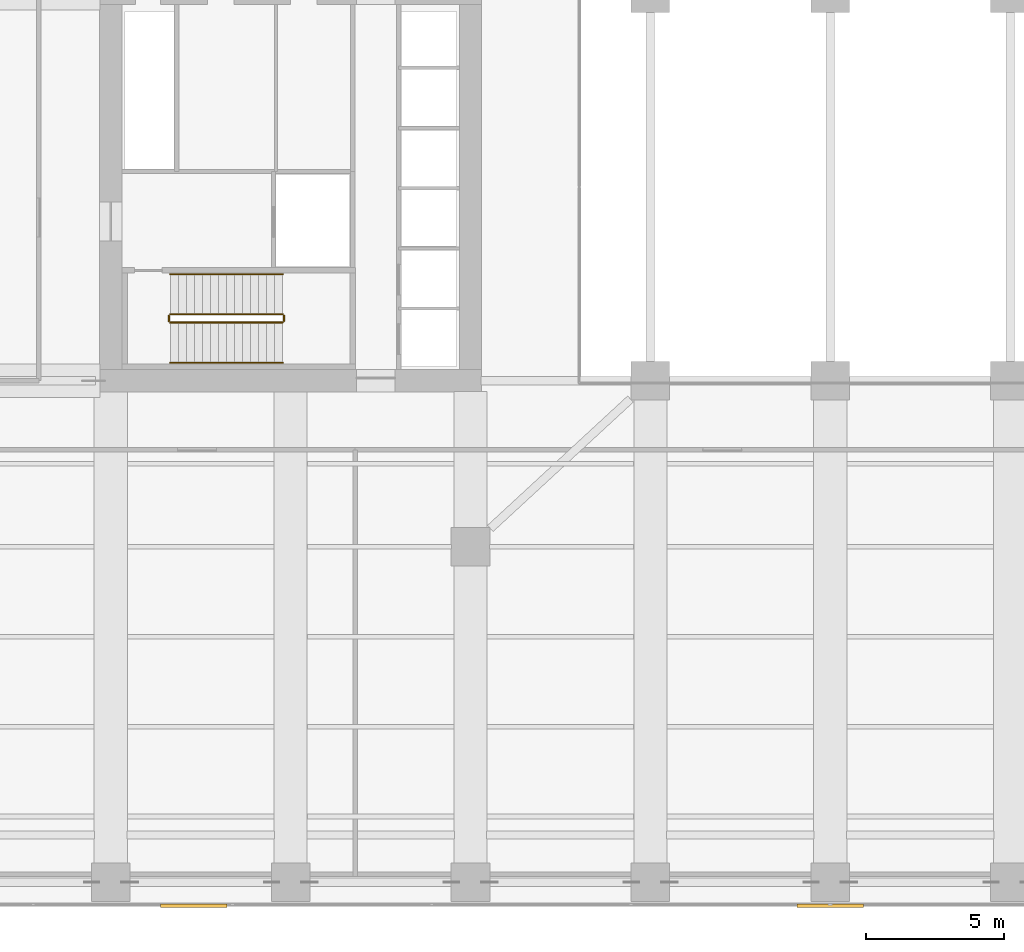
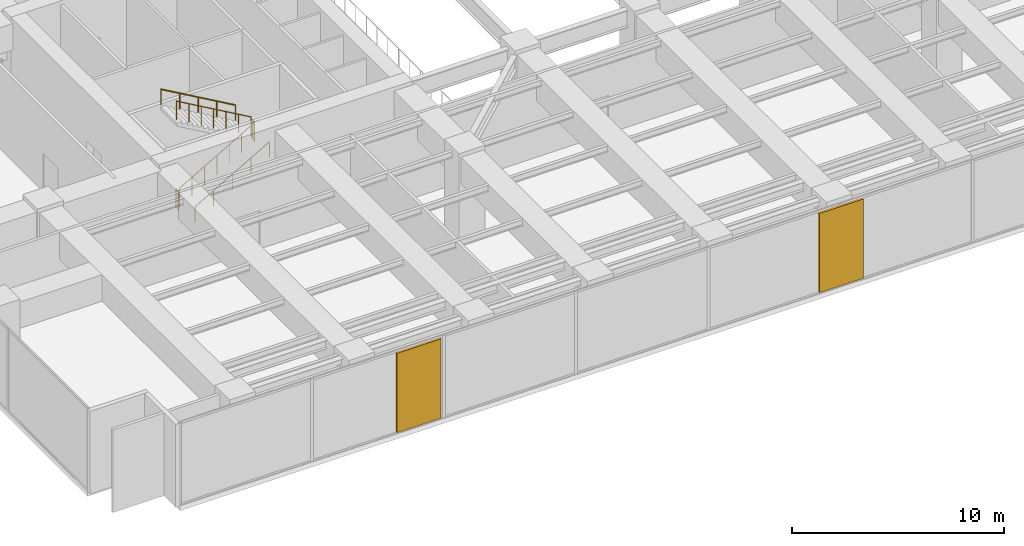
# One storey, part 28 of 31: 6 railings, 2 shading devices.
"""IFC4 building model written with IfcOpenShell, lengths in metres."""

from ifc_helpers import new_model, si_unit, direction, frame, origin, origin_2d, place, context, subcontext, project, spatial, rectangle, circle, extrude, material, layer, layer_set, type_object, element, save


model = new_model("IFC4")

# Units and contexts
model_context = context("Model", 3, precision=1e-05, world=origin(), true_north=direction((0.0, 1.0)))
body_context = subcontext(model_context, "Body", "Model", "MODEL_VIEW")
ifc_project = project(units=[si_unit("LENGTHUNIT", "METRE"), si_unit("AREAUNIT", "SQUARE_METRE"), si_unit("VOLUMEUNIT", "CUBIC_METRE"), si_unit("PLANEANGLEUNIT", "RADIAN"), si_unit("MASSUNIT", "GRAM", prefix="KILO")], contexts=[model_context])

# Site, building, storey
site_placement = place(None, origin())
site = spatial("IfcSite", under=ifc_project, at=site_placement, CompositionType="ELEMENT")
building_placement = place(site_placement, origin())
building = spatial("IfcBuilding", under=site, at=building_placement, Name="Putna Gate Headquarters", CompositionType="ELEMENT")
storey_placement = place(building_placement, frame((0.0, 0.0, 81.0)))
storey = spatial("IfcBuildingStorey", under=building, at=storey_placement, Name="L19", CompositionType="ELEMENT", Elevation=81.0)

# Railings
ifc_material_1 = material(Name="Powder-coated steel stair guardrail", Category="steel")
railing_type_1 = type_object("IfcRailingType", Name="RAIL-STAIR-GUARD-1100", PredefinedType="GUARDRAIL", material=ifc_material_1)
railing_1_placement = place(storey_placement, frame((15.14990234375, 21.10009765625, 0.166748046875)))
element("IfcRailing", 1, at=railing_1_placement, inside=storey, type_object=railing_type_1, Name="L19 ST1 stair guard 1", PredefinedType="GUARDRAIL", context=body_context, shape_type="SweptSolid", body=[
    extrude(circle(Radius=0.02392578125, at=origin_2d()), frame((0.0, 0.0, 1.076171875), z_axis=(0.867024558463, 0.0, 0.498265406207), x_axis=(0.0, 1.0, 0.0)), (0.0, 0.0, 1.0), 4.682861328125),
    extrude(circle(Radius=0.02099609375, at=origin_2d()), origin(), (0.0, 0.0, 1.0), 1.052001953125),
    extrude(circle(Radius=0.02099609375, at=origin_2d()), frame((0.6767578125, 0.0, 0.388916015625)), (0.0, 0.0, 1.0), 1.052001953125),
    extrude(circle(Radius=0.02099609375, at=origin_2d()), frame((1.353271484375, 0.0, 0.77783203125)), (0.0, 0.0, 1.0), 1.052001953125),
    extrude(circle(Radius=0.02099609375, at=origin_2d()), frame((2.030029296875, 0.0, 1.16650390625)), (0.0, 0.0, 1.0), 1.052001953125),
    extrude(circle(Radius=0.02099609375, at=origin_2d()), frame((2.706787109375, 0.0, 1.555419921875)), (0.0, 0.0, 1.0), 1.052001953125),
    extrude(circle(Radius=0.02099609375, at=origin_2d()), frame((3.38330078125, 0.0, 1.9443359375)), (0.0, 0.0, 1.0), 1.052001953125),
    extrude(circle(Radius=0.02099609375, at=origin_2d()), frame((4.06005859375, 0.0, 2.333251953125)), (0.0, 0.0, 1.0), 1.052001953125),
])
railing_2_placement = place(storey_placement, frame((19.260009765625, 21.14990234375, 2.5)))
element("IfcRailing", 2, at=railing_2_placement, inside=storey, type_object=railing_type_1, Name="L19 ST1 stair guard 2", PredefinedType="GUARDRAIL", context=body_context, shape_type="SweptSolid", body=[
    extrude(circle(Radius=0.02392578125, at=origin_2d()), frame((0.0, 0.0, 1.076171875), z_axis=(0.0, 1.0, 0.0), x_axis=(-1.0, 0.0, 0.0)), (0.0, 0.0, 1.0), 0.2001953125),
    extrude(circle(Radius=0.02099609375, at=origin_2d()), origin(), (0.0, 0.0, 1.0), 1.052001953125),
    extrude(circle(Radius=0.02099609375, at=origin_2d()), frame((0.0, 0.2001953125, 0.0)), (0.0, 0.0, 1.0), 1.052001953125),
])
railing_3_placement = place(storey_placement, frame((19.2099609375, 21.39990234375, 2.666748046875)))
element("IfcRailing", 3, at=railing_3_placement, inside=storey, type_object=railing_type_1, Name="L19 ST1 stair guard 3", PredefinedType="GUARDRAIL", context=body_context, shape_type="SweptSolid", body=[
    extrude(circle(Radius=0.02392578125, at=origin_2d()), frame((0.0, 0.0, 1.076171875), z_axis=(-0.867024558463, 0.0, 0.498265406207), x_axis=(0.0, -1.0, 0.0)), (0.0, 0.0, 1.0), 4.682861328125),
    extrude(circle(Radius=0.02099609375, at=origin_2d()), origin(), (0.0, 0.0, 1.0), 1.052001953125),
    extrude(circle(Radius=0.02099609375, at=origin_2d()), frame((-0.6767578125, 0.0, 0.388916015625)), (0.0, 0.0, 1.0), 1.052001953125),
    extrude(circle(Radius=0.02099609375, at=origin_2d()), frame((-1.353271484375, 0.0, 0.77783203125)), (0.0, 0.0, 1.0), 1.052001953125),
    extrude(circle(Radius=0.02099609375, at=origin_2d()), frame((-2.030029296875, 0.0, 1.16650390625)), (0.0, 0.0, 1.0), 1.052001953125),
    extrude(circle(Radius=0.02099609375, at=origin_2d()), frame((-2.706787109375, 0.0, 1.555419921875)), (0.0, 0.0, 1.0), 1.052001953125),
    extrude(circle(Radius=0.02099609375, at=origin_2d()), frame((-3.38330078125, 0.0, 1.9443359375)), (0.0, 0.0, 1.0), 1.052001953125),
    extrude(circle(Radius=0.02099609375, at=origin_2d()), frame((-4.06005859375, 0.0, 2.333251953125)), (0.0, 0.0, 1.0), 1.052001953125),
])
railing_4_placement = place(storey_placement, frame((15.10009765625, 21.14990234375, 0.0)))
element("IfcRailing", 4, at=railing_4_placement, inside=storey, type_object=railing_type_1, Name="L19 ST1 stair guard 4", PredefinedType="GUARDRAIL", context=body_context, shape_type="SweptSolid", body=[
    extrude(circle(Radius=0.02392578125, at=origin_2d()), frame((0.0, 0.0, 1.076171875), z_axis=(0.0, 1.0, 0.0), x_axis=(-1.0, 0.0, 0.0)), (0.0, 0.0, 1.0), 0.2001953125),
    extrude(circle(Radius=0.02099609375, at=origin_2d()), origin(), (0.0, 0.0, 1.0), 1.052001953125),
    extrude(circle(Radius=0.02099609375, at=origin_2d()), frame((0.0, 0.2001953125, 0.0)), (0.0, 0.0, 1.0), 1.052001953125),
])
ifc_material_2 = material(Name="Brushed stainless steel handrail", Category="steel")
railing_type_2 = type_object("IfcRailingType", Name="RAIL-STAIR-HAND-900", PredefinedType="HANDRAIL", material=ifc_material_2)
railing_5_placement = place(storey_placement, frame((15.14990234375, 19.64990234375, 0.166748046875)))
element("IfcRailing", 5, at=railing_5_placement, inside=storey, type_object=railing_type_2, Name="L19 ST1 stair handrail 1", PredefinedType="HANDRAIL", context=body_context, shape_type="SweptSolid", body=[
    extrude(circle(Radius=0.02392578125, at=origin_2d()), frame((0.0, 0.0, 0.8759765625), z_axis=(0.867024558463, 0.0, 0.498265406207), x_axis=(0.0, 1.0, 0.0)), (0.0, 0.0, 1.0), 4.682861328125),
    extrude(circle(Radius=0.02099609375, at=origin_2d()), origin(), (0.0, 0.0, 1.0), 0.851806640625),
    extrude(circle(Radius=0.02099609375, at=origin_2d()), frame((1.01513671875, 0.0, 0.583251953125)), (0.0, 0.0, 1.0), 0.851806640625),
    extrude(circle(Radius=0.02099609375, at=origin_2d()), frame((2.030029296875, 0.0, 1.16650390625)), (0.0, 0.0, 1.0), 0.851806640625),
    extrude(circle(Radius=0.02099609375, at=origin_2d()), frame((3.044921875, 0.0, 1.75)), (0.0, 0.0, 1.0), 0.851806640625),
    extrude(circle(Radius=0.02099609375, at=origin_2d()), frame((4.06005859375, 0.0, 2.333251953125)), (0.0, 0.0, 1.0), 0.851806640625),
])
railing_6_placement = place(storey_placement, frame((19.2099609375, 22.85009765625, 2.666748046875)))
element("IfcRailing", 6, at=railing_6_placement, inside=storey, type_object=railing_type_2, Name="L19 ST1 stair handrail 2", PredefinedType="HANDRAIL", context=body_context, shape_type="SweptSolid", body=[
    extrude(circle(Radius=0.02392578125, at=origin_2d()), frame((0.0, 0.0, 0.8759765625), z_axis=(-0.867024558463, 0.0, 0.498265406207), x_axis=(0.0, -1.0, 0.0)), (0.0, 0.0, 1.0), 4.682861328125),
    extrude(circle(Radius=0.02099609375, at=origin_2d()), origin(), (0.0, 0.0, 1.0), 0.851806640625),
    extrude(circle(Radius=0.02099609375, at=origin_2d()), frame((-1.01513671875, 0.0, 0.583251953125)), (0.0, 0.0, 1.0), 0.851806640625),
    extrude(circle(Radius=0.02099609375, at=origin_2d()), frame((-2.030029296875, 0.0, 1.16650390625)), (0.0, 0.0, 1.0), 0.851806640625),
    extrude(circle(Radius=0.02099609375, at=origin_2d()), frame((-3.044921875, 0.0, 1.75)), (0.0, 0.0, 1.0), 0.851806640625),
    extrude(circle(Radius=0.02099609375, at=origin_2d()), frame((-4.06005859375, 0.0, 2.333251953125)), (0.0, 0.0, 1.0), 0.851806640625),
])

# Shading devices
ifc_material_3 = material(Name="Anodised bronze acoustic weather louvre", Category="aluminium")
ifc_layer = layer(ifc_material_3, 0.1201171875)
ifc_layer_set = layer_set([ifc_layer], Name="Anodised bronze acoustic weather louvre")
shading_device_type = type_object("IfcShadingDeviceType", Name="SHADE-PLANT-LOUVRE", PredefinedType="JALOUSIE", material=ifc_layer_set)
for number, where, z_axis, x_axis, name in (
    (7, (16.0, 0.030029296875, 0.10009765625), (0.0, 0.0, 1.0), (1.0, 0.0, 0.0), "L19 Bronze Acoustic Louvre S1"),
    (8, (39.0, 0.030029296875, 0.10009765625), (0.0, 0.0, 1.0), (1.0, 0.0, 0.0), "L19 Bronze Acoustic Louvre S2"),
):
    element("IfcShadingDevice", number, at=place(storey_placement, frame(where, z_axis=z_axis, x_axis=x_axis)), inside=storey, type_object=shading_device_type, Name=name, PredefinedType="JALOUSIE", context=body_context, shape_type="SweptSolid", body=[
        extrude(rectangle(XDim=2.39990234375, YDim=0.1201171875, at=origin_2d()), origin(), (0.0, 0.0, 1.0), 4.56494140625),
    ])

save(model, "model.ifc")
